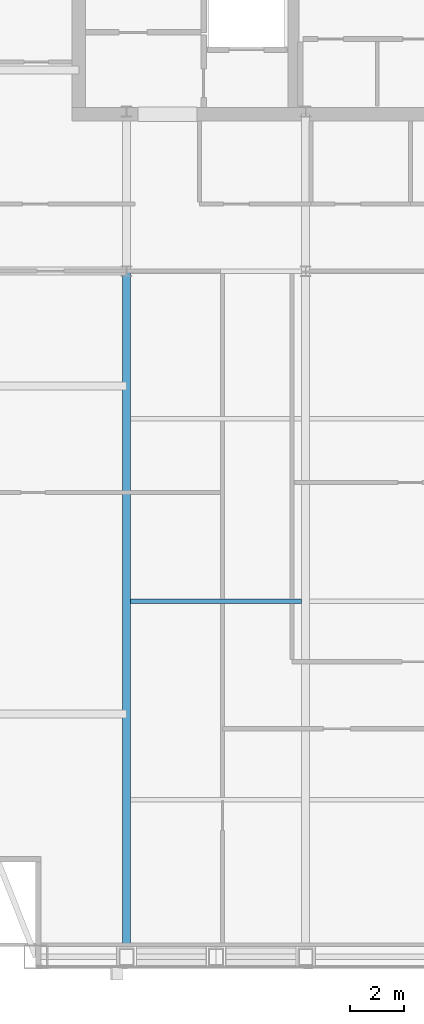
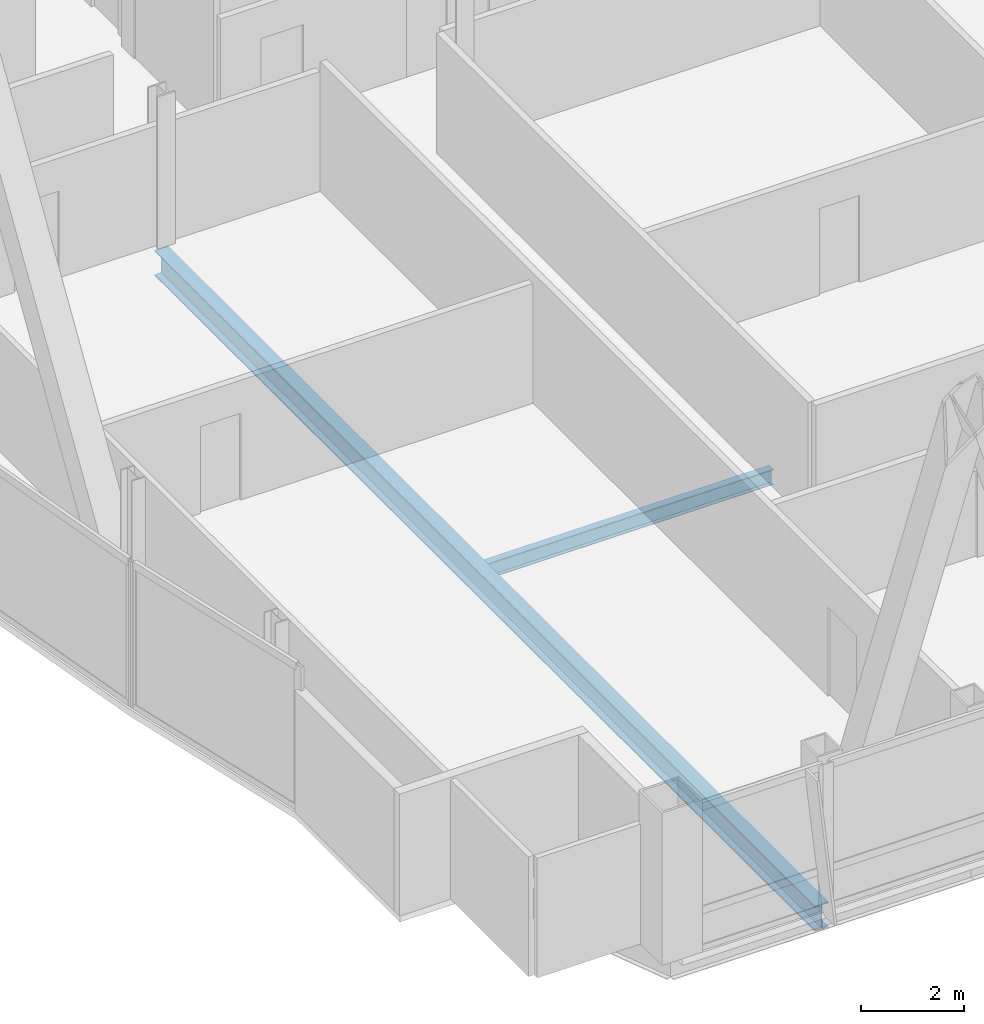
# One storey, part 6 of 31: 2 beams.
"""IFC4 building model written with IfcOpenShell, lengths in metres."""

from ifc_helpers import new_model, si_unit, direction, frame, origin, origin_2d, place, context, subcontext, project, spatial, i_section, extrude, material, material_profile, profile_set, type_object, element, save


model = new_model("IFC4")

# Units and contexts
model_context = context("Model", 3, precision=1e-05, world=origin(), true_north=direction((0.0, 1.0)))
body_context = subcontext(model_context, "Body", "Model", "MODEL_VIEW")
ifc_project = project(units=[si_unit("LENGTHUNIT", "METRE"), si_unit("AREAUNIT", "SQUARE_METRE"), si_unit("VOLUMEUNIT", "CUBIC_METRE"), si_unit("PLANEANGLEUNIT", "RADIAN"), si_unit("MASSUNIT", "GRAM", prefix="KILO")], contexts=[model_context])

# Site, building, storey
site_placement = place(None, origin())
site = spatial("IfcSite", under=ifc_project, at=site_placement, CompositionType="ELEMENT")
building_placement = place(site_placement, origin())
building = spatial("IfcBuilding", under=site, at=building_placement, Name="Khoronbel Lancet Exchange", CompositionType="ELEMENT")
storey_placement = place(building_placement, frame((0.0, 0.0, 325.39990234375)))
storey = spatial("IfcBuildingStorey", under=building, at=storey_placement, Name="L84", CompositionType="ELEMENT", Elevation=325.39990234375)

# Beams
ifc_material = material(Name="Steel S355", Category="steel")
ifc_material_profile_1 = material_profile(ifc_material, i_section(OverallWidth=0.300048828125, OverallDepth=0.60009765625, WebThickness=0.015380859375, FlangeThickness=0.030029296875, at=origin_2d()), Name="HEB 600")
ifc_profile_set_1 = profile_set([ifc_material_profile_1], Name="Steel S355")
beam_type_1 = type_object("IfcBeamType", Name="BM-BG5", PredefinedType="BEAM", material=ifc_profile_set_1)
beam_1_placement = place(storey_placement, frame((18.22509765625, 10.14990234375, -0.4599609375), z_axis=(0.0, 1.0, 0.0), x_axis=(-1.0, 0.0, 0.0)))
element("IfcBeam", 1, at=beam_1_placement, inside=storey, type_object=beam_type_1, Name="Level L84 south primary girder GS1", PredefinedType="BEAM", context=body_context, shape_type="SweptSolid", body=[
    extrude(i_section(OverallWidth=0.300048828125, OverallDepth=0.60009765625, WebThickness=0.015380859375, FlangeThickness=0.030029296875, at=origin_2d()), origin(), (0.0, 0.0, 1.0), 25.550048828125),
])
ifc_material_profile_2 = material_profile(ifc_material, i_section(OverallWidth=0.169921875, OverallDepth=0.360107421875, WebThickness=0.008056640625, FlangeThickness=0.0126953125, at=origin_2d()), Name="IPE 360")
ifc_profile_set_2 = profile_set([ifc_material_profile_2], Name="Steel S355")
beam_type_2 = type_object("IfcBeamType", Name="BM-BJ6", PredefinedType="JOIST", material=ifc_profile_set_2)
beam_2_placement = place(storey_placement, frame((18.375, 23.39990234375, -0.33984375), z_axis=(1.0, 0.0, 0.0), x_axis=(0.0, 1.0, 0.0)))
element("IfcBeam", 2, at=beam_2_placement, inside=storey, type_object=beam_type_2, Name="Level L84 secondary composite joist J04", PredefinedType="JOIST", context=body_context, shape_type="SweptSolid", body=[
    extrude(i_section(OverallWidth=0.169921875, OverallDepth=0.360107421875, WebThickness=0.008056640625, FlangeThickness=0.0126953125, at=origin_2d()), origin(), (0.0, 0.0, 1.0), 6.375),
])

save(model, "model.ifc")
